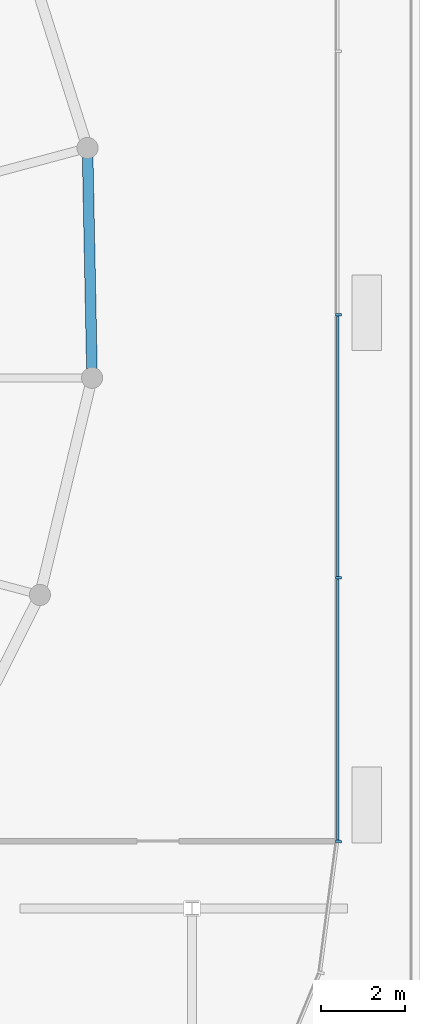
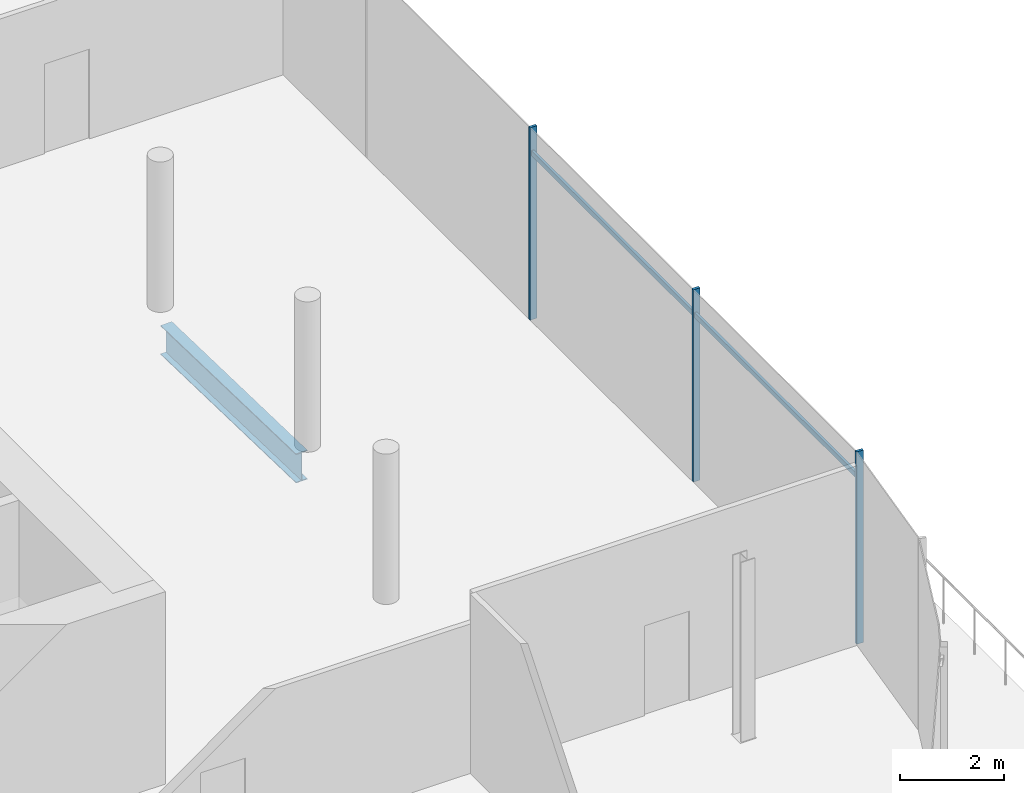
# One storey, part 24 of 49: 5 members, 1 beam, 1 element without a shape of its own.
"""IFC4 building model written with IfcOpenShell, lengths in metres."""

from ifc_helpers import new_model, si_unit, direction, frame, origin, origin_2d, place, context, subcontext, project, spatial, rectangle, i_section, extrude, material, material_profile, profile_set, type_object, element, aggregate, save


model = new_model("IFC4")

# Units and contexts
model_context = context("Model", 3, precision=1e-05, world=origin(), true_north=direction((0.0, 1.0)))
body_context = subcontext(model_context, "Body", "Model", "MODEL_VIEW")
ifc_project = project(units=[si_unit("LENGTHUNIT", "METRE"), si_unit("AREAUNIT", "SQUARE_METRE"), si_unit("VOLUMEUNIT", "CUBIC_METRE"), si_unit("PLANEANGLEUNIT", "RADIAN"), si_unit("MASSUNIT", "GRAM", prefix="KILO")], contexts=[model_context])

# Site, building, storey
site_placement = place(None, origin())
site = spatial("IfcSite", under=ifc_project, at=site_placement, CompositionType="ELEMENT")
building_placement = place(site_placement, origin())
building = spatial("IfcBuilding", under=site, at=building_placement, Name="Rimbun Link Towers", CompositionType="ELEMENT")
storey_placement = place(building_placement, frame((0.0, 0.0, 25.5)))
storey = spatial("IfcBuildingStorey", under=building, at=storey_placement, Name="L05", CompositionType="ELEMENT", Elevation=25.5)

# Curtain wall, members
ifc_material_1 = material(Name="Aluminium 6063-T6 and low-iron glass", Category="aluminium")
curtain_wall_type = type_object("IfcCurtainWallType", Name="CW3 podium shopfront", PredefinedType="NOTDEFINED", material=ifc_material_1)
curtain_wall_placement = place(storey_placement, origin())
curtain_wall = element("IfcCurtainWall", 1, at=curtain_wall_placement, inside=storey, type_object=curtain_wall_type, Name="CW3 L05 PD", PredefinedType="NOTDEFINED")
ifc_material_2 = material(Name="Aluminium 6063-T6", Category="aluminium")
ifc_material_profile_1 = material_profile(ifc_material_2, rectangle(XDim=0.14990234375, YDim=0.06005859375, at=origin_2d()), Name="MULLION 60X150")
ifc_profile_set_1 = profile_set([ifc_material_profile_1], Name="Aluminium 6063-T6")
member_type_1 = type_object("IfcMemberType", Name="CW3 mullion 60X150", PredefinedType="MULLION", material=ifc_profile_set_1)
member_1_placement = place(storey_placement, frame((58.074951171875, -11.0048828125, 0.0), z_axis=(0.0, 0.0, 1.0), x_axis=(0.997858781723, -0.065405288299, 0.0)))
member_1 = element("IfcMember", 2, at=member_1_placement, type_object=member_type_1, Name="CW3 mullion", PredefinedType="MULLION", context=body_context, shape_type="SweptSolid", body=[
    extrude(rectangle(XDim=0.14990234375, YDim=0.06005859375, at=origin_2d()), origin(), (0.0, 0.0, 1.0), 4.5),
])
member_2_placement = place(storey_placement, frame((58.074951171875, -4.75, 0.0), z_axis=(0.0, 0.0, 1.0), x_axis=(1.0, 0.0, 0.0)))
member_2 = element("IfcMember", 3, at=member_2_placement, type_object=member_type_1, Name="CW3 mullion", PredefinedType="MULLION", context=body_context, shape_type="SweptSolid", body=[
    extrude(rectangle(XDim=0.14990234375, YDim=0.06005859375, at=origin_2d()), origin(), (0.0, 0.0, 1.0), 4.5),
])
member_3_placement = place(storey_placement, frame((58.074951171875, 1.5, 0.0), z_axis=(0.0, 0.0, 1.0), x_axis=(1.0, 0.0, 0.0)))
member_3 = element("IfcMember", 4, at=member_3_placement, type_object=member_type_1, Name="CW3 mullion", PredefinedType="MULLION", context=body_context, shape_type="SweptSolid", body=[
    extrude(rectangle(XDim=0.14990234375, YDim=0.06005859375, at=origin_2d()), origin(), (0.0, 0.0, 1.0), 4.5),
])
ifc_material_3 = material(Name="Aluminium 6063-T6", Category="aluminium")
ifc_material_profile_2 = material_profile(ifc_material_3, rectangle(XDim=0.06005859375, YDim=0.1201171875, at=origin_2d()), Name="TRANSOM 60X120")
ifc_profile_set_2 = profile_set([ifc_material_profile_2], Name="Aluminium 6063-T6")
member_type_2 = type_object("IfcMemberType", Name="CW3 transom 60X120", PredefinedType="USERDEFINED", material=ifc_profile_set_2)
member_4_placement = place(storey_placement, frame((58.053955078125, -4.780029296875, 3.89990234375), z_axis=(0.0, -1.0, 0.0), x_axis=(1.0, 0.0, 0.0)))
member_4 = element("IfcMember", 5, at=member_4_placement, type_object=member_type_2, Name="CW3 transom", ObjectType="TRANSOM", PredefinedType="USERDEFINED", context=body_context, shape_type="SweptSolid", body=[
    extrude(rectangle(XDim=0.06005859375, YDim=0.1201171875, at=origin_2d()), origin(), (0.0, 0.0, 1.0), 6.18994140625),
])
member_5_placement = place(storey_placement, frame((58.053955078125, 1.469970703125, 3.89990234375), z_axis=(0.0, -1.0, 0.0), x_axis=(1.0, 0.0, 0.0)))
member_5 = element("IfcMember", 6, at=member_5_placement, type_object=member_type_2, Name="CW3 transom", ObjectType="TRANSOM", PredefinedType="USERDEFINED", context=body_context, shape_type="SweptSolid", body=[
    extrude(rectangle(XDim=0.06005859375, YDim=0.1201171875, at=origin_2d()), origin(), (0.0, 0.0, 1.0), 6.18994140625),
])
aggregate(curtain_wall, [member_1, member_2, member_3, member_4, member_5])

# Beam
ifc_material_4 = material(Name="Steel S355J2", Category="steel")
ifc_material_profile_3 = material_profile(ifc_material_4, i_section(OverallWidth=0.253662109375, OverallDepth=0.68359375, WebThickness=0.012451171875, FlangeThickness=0.01904296875, at=origin_2d()), Name="UB 686x254x140")
ifc_profile_set_3 = profile_set([ifc_material_profile_3], Name="Steel S355J2")
beam_type = type_object("IfcBeamType", Name="UB 686x254x140", PredefinedType="BEAM", material=ifc_profile_set_3)
beam_placement = place(storey_placement, frame((52.22216796875, 0.220458984375, -0.641845703125), z_axis=(-0.01980243284, 0.999803912602, 0.0), x_axis=(-0.999803912602, -0.01980243284, 0.0)))
element("IfcBeam", 7, at=beam_placement, inside=storey, type_object=beam_type, Name="Edge beam T2 L05 21", PredefinedType="BEAM", context=body_context, shape_type="SweptSolid", body=[
    extrude(i_section(OverallWidth=0.253662109375, OverallDepth=0.68359375, WebThickness=0.012451171875, FlangeThickness=0.01904296875, at=origin_2d()), origin(), (0.0, 0.0, 1.0), 5.017822265625),
])

save(model, "model.ifc")
